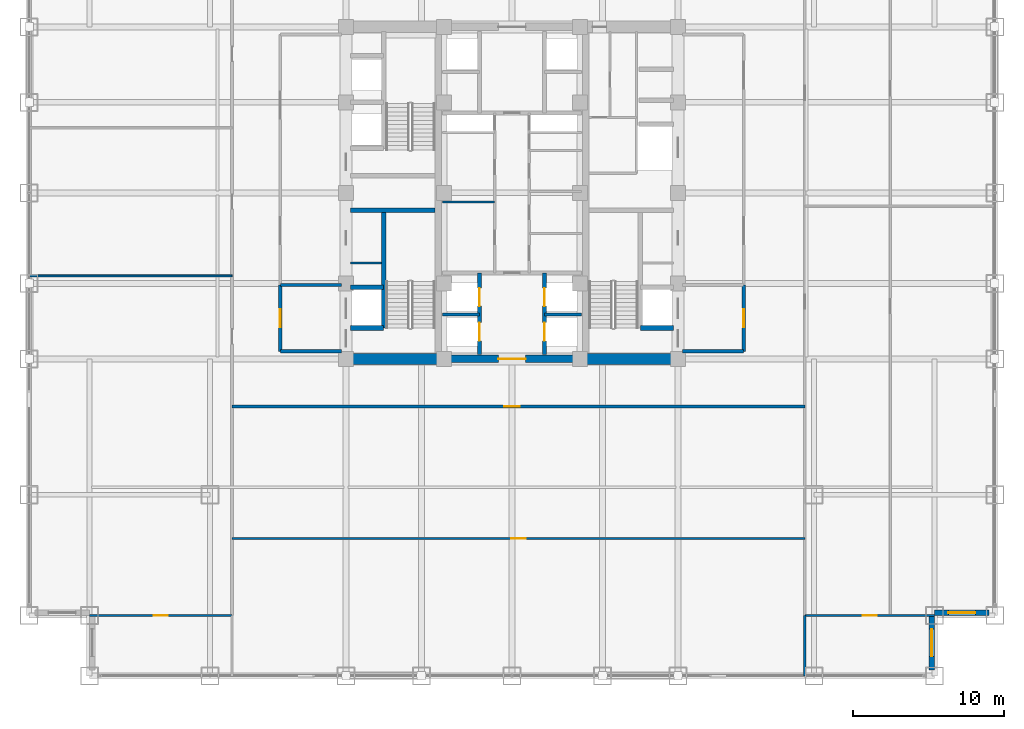
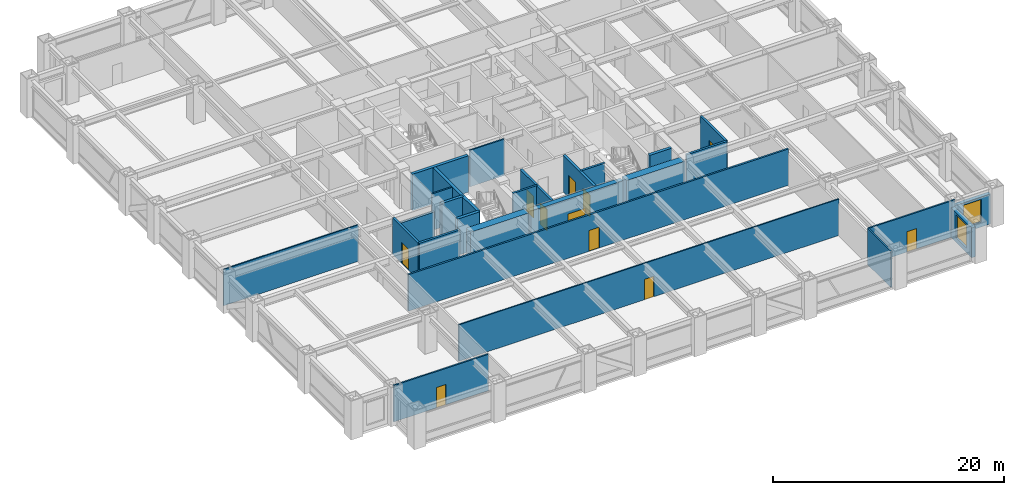
# One storey, part 23 of 28: 27 walls, 11 doors, 2 windows, 13 openings.
"""IFC4 building model written with IfcOpenShell, lengths in metres."""

from ifc_helpers import new_model, si_unit, direction, frame, frame_2d, origin, place, context, subcontext, project, spatial, rectangle, extrude, source, transform, mapped, material, layer, layer_set, type_object, element, fill, save


model = new_model("IFC4")

# Units and contexts
model_context = context("Model", 3, precision=1e-05, world=origin(), true_north=direction((0.0, 1.0)))
body_context = subcontext(model_context, "Body", "Model", "MODEL_VIEW")
ifc_project = project(units=[si_unit("LENGTHUNIT", "METRE"), si_unit("AREAUNIT", "SQUARE_METRE"), si_unit("VOLUMEUNIT", "CUBIC_METRE"), si_unit("PLANEANGLEUNIT", "RADIAN"), si_unit("MASSUNIT", "GRAM", prefix="KILO")], contexts=[model_context])

# Site, building, storey
site_placement = place(None, origin())
site = spatial("IfcSite", under=ifc_project, at=site_placement, CompositionType="ELEMENT")
building_placement = place(site_placement, origin())
building = spatial("IfcBuilding", under=site, at=building_placement, Name="Khorayat Bourse Tower", CompositionType="ELEMENT")
storey_placement = place(building_placement, frame((0.0, 0.0, 116.0)))
storey = spatial("IfcBuildingStorey", under=building, at=storey_placement, Name="L26", CompositionType="ELEMENT", Elevation=116.0)

# Walls
ifc_material_1 = material(Name="Concrete C72/90", Category="concrete")
ifc_layer_1 = layer(ifc_material_1, 0.75)
ifc_layer_set_1 = layer_set([ifc_layer_1], Name="Concrete C72/90")
wall_type_1 = type_object("IfcWallType", Name="WAL-CORE-750", PredefinedType="SHEAR", material=ifc_layer_set_1)
shared_shape_1 = source(origin(), body_context, "Body", "SweptSolid", [
    extrude(rectangle(XDim=5.849853515625, YDim=0.75, at=frame_2d((2.9248046875, 0.0))), origin(), (0.0, 0.0, 1.0), 3.840087890625),
])
for number, where, z_axis, x_axis, name in (
    (1, (-10.699951171875, -11.0, 0.0), (0.0, 0.0, 1.0), (1.0, 0.0, 0.0), "L26 Core Shear Wall PIER-WS"),
    (2, (4.85009765625, -11.0, 0.0), (0.0, 0.0, 1.0), (1.0, 0.0, 0.0), "L26 Core Shear Wall PIER-ES"),
):
    element("IfcWall", number, at=place(storey_placement, frame(where, z_axis=z_axis, x_axis=x_axis)), inside=storey, type_object=wall_type_1, Name=name, PredefinedType="SHEAR", context=body_context, shape_type="MappedRepresentation", body=[
        mapped(shared_shape_1, transform((0.0, 0.0, 0.0), scale=1.0)),
    ])
ifc_material_2 = material(Name="Concrete C50/60", Category="concrete")
ifc_layer_2 = layer(ifc_material_2, 0.300048828125)
ifc_layer_set_2 = layer_set([ifc_layer_2], Name="Concrete C50/60")
wall_type_2 = type_object("IfcWallType", Name="WAL-SHAFT-300", PredefinedType="SHEAR", material=ifc_layer_set_2)
shared_shape_2 = source(origin(), body_context, "Body", "SweptSolid", [
    extrude(rectangle(XDim=5.599853515625, YDim=0.300048828125, at=frame_2d((2.7998046875, 0.0))), origin(), (0.0, 0.0, 1.0), 3.840087890625),
])
wall_1_placement = place(storey_placement, frame((-10.699951171875, -1.14990234375, 0.0), z_axis=(0.0, 0.0, 1.0), x_axis=(1.0, 0.0, 0.0)))
element("IfcWall", 3, at=wall_1_placement, inside=storey, type_object=wall_type_2, Name="L26 Core Shear Wall ST1-DIV", PredefinedType="SHEAR", context=body_context, shape_type="MappedRepresentation", body=[
    mapped(shared_shape_2, transform((0.0, 0.0, 0.0), scale=1.0)),
])

# Wall, opening, door
ifc_material_3 = material(Name="Concrete C52/65", Category="concrete")
ifc_layer_3 = layer(ifc_material_3, 0.5)
ifc_layer_set_3 = layer_set([ifc_layer_3], Name="Concrete C52/65")
wall_type_3 = type_object("IfcWallType", Name="WAL-CORE-500", PredefinedType="SHEAR", material=ifc_layer_set_3)
shared_shape_3 = source(origin(), body_context, "Body", "SweptSolid", [
    extrude(rectangle(XDim=9.2001953125, YDim=0.5, at=frame_2d((4.60009765625, 0.0))), origin(), (0.0, 0.0, 1.0), 3.840087890625),
])
wall_2_placement = place(storey_placement, frame((-4.60009765625, -11.0, 0.0), z_axis=(0.0, 0.0, 1.0), x_axis=(1.0, 0.0, 0.0)))
wall_2 = element("IfcWall", 4, at=wall_2_placement, inside=storey, type_object=wall_type_3, Name="L26 Core Shear Wall CORE-S", PredefinedType="SHEAR", context=body_context, shape_type="MappedRepresentation", body=[
    mapped(shared_shape_3, transform((0.0, 0.0, 0.0), scale=1.0)),
])
shared_shape_4 = source(origin(), body_context, "Body", "SweptSolid", [
    extrude(rectangle(XDim=1.800048828125, YDim=2.25, at=frame_2d((0.89990234375, 1.125))), frame((0.0, 0.260009765625, 0.0), z_axis=(0.0, -1.0, 0.0), x_axis=(1.0, 0.0, 0.0)), (0.0, 0.0, 1.0), 0.52001953125),
])
opening_1_placement = place(wall_2_placement, frame((3.699951171875, 0.0, 0.0)))
opening_1 = element("IfcOpeningElement", 5, at=opening_1_placement, cuts=wall_2, Name="Opening DI-03", PredefinedType="OPENING", context=body_context, shape_type="MappedRepresentation", body=[
    mapped(shared_shape_4, transform((0.0, 0.0, 0.0), scale=1.0)),
])
ifc_material_4 = material(Name="Fire-rated hardwood vision-panel double leaf", Category="wood")
door_type_1 = type_object("IfcDoorType", Name="DR-INT-CORR-1800", OperationType="NOTDEFINED", PredefinedType="DOOR", material=ifc_material_4)
shared_shape_5 = source(origin(), body_context, "Body", "SweptSolid", [
    extrude(rectangle(XDim=1.800048828125, YDim=2.25, at=frame_2d((0.89990234375, 1.125))), frame((0.0, 0.02490234375, 0.0), z_axis=(0.0, -1.0, 0.0), x_axis=(1.0, 0.0, 0.0)), (0.0, 0.0, 1.0), 0.050048828125),
])
door_1_placement = place(opening_1_placement, origin())
door_1 = element("IfcDoor", 6, at=door_1_placement, inside=storey, type_object=door_type_1, Name="L26 Low-Rise Lift Lobby Door", OperationType="SINGLE_SWING_LEFT", OverallHeight=2.25, OverallWidth=1.800048828125, PredefinedType="DOOR", context=body_context, shape_type="MappedRepresentation", body=[
    mapped(shared_shape_5, transform((0.0, 0.0, 0.0), scale=1.0)),
])
fill(opening_1, door_1)

# Wall, opening, window
ifc_material_5 = material(Name="Precast concrete C45/55", Category="concrete")
ifc_layer_4 = layer(ifc_material_5, 0.3798828125)
ifc_layer_set_4 = layer_set([ifc_layer_4], Name="Precast concrete C45/55")
wall_type_4 = type_object("IfcWallType", Name="WAL-EXT-STONE-380", PredefinedType="STANDARD", material=ifc_layer_set_4)
shared_shape_6 = source(origin(), body_context, "Body", "SweptSolid", [
    extrude(rectangle(XDim=3.6201171875, YDim=0.3798828125, at=frame_2d((1.81005859375, 0.0))), origin(), (0.0, 0.0, 1.0), 3.14501953125),
])
wall_3_placement = place(storey_placement, frame((27.81005859375, -31.6201171875, 0.0), z_axis=(0.0, 0.0, 1.0), x_axis=(0.0, 1.0, 0.0)))
wall_3 = element("IfcWall", 7, at=wall_3_placement, inside=storey, type_object=wall_type_4, Name="L26 Re-Entrant Notch Limestone Wall SE-V", PredefinedType="STANDARD", context=body_context, shape_type="MappedRepresentation", body=[
    mapped(shared_shape_6, transform((0.0, 0.0, 0.0), scale=1.0)),
])
shared_shape_7 = source(origin(), body_context, "Body", "SweptSolid", [
    extrude(rectangle(XDim=1.800048828125, YDim=2.39990234375, at=frame_2d((0.89990234375, 1.199951171875))), frame((0.0, 0.199951171875, 0.0), z_axis=(0.0, -1.0, 0.0), x_axis=(1.0, 0.0, 0.0)), (0.0, 0.0, 1.0), 0.39990234375),
])
opening_2_placement = place(wall_3_placement, frame((0.909912109375, 0.0, 0.5)))
opening_2 = element("IfcOpeningElement", 8, at=opening_2_placement, cuts=wall_3, Name="Opening WN-04", PredefinedType="OPENING", context=body_context, shape_type="MappedRepresentation", body=[
    mapped(shared_shape_7, transform((0.0, 0.0, 0.0), scale=1.0)),
])
ifc_material_6 = material(Name="Low-E acoustic laminated double glazing", Category="glass")
window_type = type_object("IfcWindowType", Name="WIN-NOTCH-1800x2400", PartitioningType="SINGLE_PANEL", PredefinedType="WINDOW", material=ifc_material_6)
shared_shape_8 = source(origin(), body_context, "Body", "SweptSolid", [
    extrude(rectangle(XDim=1.800048828125, YDim=2.39990234375, at=frame_2d((0.89990234375, 1.199951171875))), frame((0.0, 0.030029296875, 0.0), z_axis=(0.0, -1.0, 0.0), x_axis=(1.0, 0.0, 0.0)), (0.0, 0.0, 1.0), 0.06005859375),
])
window_1_placement = place(opening_2_placement, origin())
window_1 = element("IfcWindow", 9, at=window_1_placement, inside=storey, type_object=window_type, Name="L26 Facade Window 1", OverallHeight=2.39990234375, OverallWidth=1.800048828125, PartitioningType="SINGLE_PANEL", PredefinedType="WINDOW", context=body_context, shape_type="MappedRepresentation", body=[
    mapped(shared_shape_8, transform((0.0, 0.0, 0.0), scale=1.0)),
])
fill(opening_2, window_1)

wall_4_placement = place(storey_placement, frame((28.0, -27.81005859375, 0.0), z_axis=(0.0, 0.0, 1.0), x_axis=(1.0, 0.0, 0.0)))
wall_4 = element("IfcWall", 10, at=wall_4_placement, inside=storey, type_object=wall_type_4, Name="L26 Re-Entrant Notch Limestone Wall SE-H", PredefinedType="STANDARD", context=body_context, shape_type="MappedRepresentation", body=[
    mapped(shared_shape_6, transform((0.0, 0.0, 0.0), scale=1.0)),
])
opening_3_placement = place(wall_4_placement, frame((0.909912109375, 0.0, 0.5)))
opening_3 = element("IfcOpeningElement", 11, at=opening_3_placement, cuts=wall_4, Name="Opening WN-04", PredefinedType="OPENING", context=body_context, shape_type="MappedRepresentation", body=[
    mapped(shared_shape_7, transform((0.0, 0.0, 0.0), scale=1.0)),
])
window_2_placement = place(opening_3_placement, origin())
window_2 = element("IfcWindow", 12, at=window_2_placement, inside=storey, type_object=window_type, Name="L26 Facade Window 1", OverallHeight=2.39990234375, OverallWidth=1.800048828125, PartitioningType="SINGLE_PANEL", PredefinedType="WINDOW", context=body_context, shape_type="MappedRepresentation", body=[
    mapped(shared_shape_8, transform((0.0, 0.0, 0.0), scale=1.0)),
])
fill(opening_3, window_2)

# Walls
shared_shape_9 = source(origin(), body_context, "Body", "SweptSolid", [
    extrude(rectangle(XDim=7.800048828125, YDim=0.300048828125, at=frame_2d((3.89990234375, 0.0))), origin(), (0.0, 0.0, 1.0), 3.840087890625),
])
wall_5_placement = place(storey_placement, frame((-8.5, -8.949951171875, 0.0), z_axis=(0.0, 0.0, 1.0), x_axis=(0.0, 1.0, 0.0)))
element("IfcWall", 13, at=wall_5_placement, inside=storey, type_object=wall_type_2, Name="L26 Partition WAL-L26-WPIER-SP", PredefinedType="SHEAR", context=body_context, shape_type="MappedRepresentation", body=[
    mapped(shared_shape_9, transform((0.0, 0.0, 0.0), scale=1.0)),
])
shared_shape_10 = source(origin(), body_context, "Body", "SweptSolid", [
    extrude(rectangle(XDim=2.199951171875, YDim=0.300048828125, at=frame_2d((1.10009765625, 0.0))), origin(), (0.0, 0.0, 1.0), 3.840087890625),
])
for number, where, z_axis, x_axis, name in (
    (14, (-10.699951171875, -8.949951171875, 0.0), (0.0, 0.0, 1.0), (1.0, 0.0, 0.0), "L26 Partition WAL-L26-WPIER-FF1S"),
    (15, (-10.699951171875, -6.25, 0.0), (0.0, 0.0, 1.0), (1.0, 0.0, 0.0), "L26 Partition WAL-L26-WPIER-FF1N"),
    (16, (8.5, -8.949951171875, 0.0), (0.0, 0.0, 1.0), (1.0, 0.0, 0.0), "L26 Partition WAL-L26-EPIER-FF2S"),
):
    element("IfcWall", number, at=place(storey_placement, frame(where, z_axis=z_axis, x_axis=x_axis)), inside=storey, type_object=wall_type_2, Name=name, PredefinedType="SHEAR", context=body_context, shape_type="MappedRepresentation", body=[
        mapped(shared_shape_10, transform((0.0, 0.0, 0.0), scale=1.0)),
    ])
ifc_material_7 = material(Name="Gypsum plasterboard twin-frame partition")
ifc_layer_5 = layer(ifc_material_7, 0.14990234375)
ifc_layer_set_5 = layer_set([ifc_layer_5], Name="Gypsum plasterboard twin-frame partition")
wall_type_5 = type_object("IfcWallType", Name="WAL-PART-SUITE-150", PredefinedType="PARTITIONING", material=ifc_layer_set_5)
shared_shape_11 = source(origin(), body_context, "Body", "SweptSolid", [
    extrude(rectangle(XDim=2.050048828125, YDim=0.14990234375, at=frame_2d((1.02490234375, 0.0))), origin(), (0.0, 0.0, 1.0), 3.840087890625),
])
wall_6_placement = place(storey_placement, frame((-10.699951171875, -4.64990234375, 0.0), z_axis=(0.0, 0.0, 1.0), x_axis=(1.0, 0.0, 0.0)))
element("IfcWall", 17, at=wall_6_placement, inside=storey, type_object=wall_type_5, Name="L26 Partition WAL-L26-WSRV-S0", PredefinedType="PARTITIONING", context=body_context, shape_type="MappedRepresentation", body=[
    mapped(shared_shape_11, transform((0.0, 0.0, 0.0), scale=1.0)),
])
ifc_material_8 = material(Name="Aerated concrete blockwork", Category="masonry")
ifc_layer_6 = layer(ifc_material_8, 0.219970703125)
ifc_layer_set_6 = layer_set([ifc_layer_6], Name="Aerated concrete blockwork")
wall_type_6 = type_object("IfcWallType", Name="WAL-PART-FF-220", PredefinedType="PARTITIONING", material=ifc_layer_set_6)
shared_shape_12 = source(origin(), body_context, "Body", "SweptSolid", [
    extrude(rectangle(XDim=4.050048828125, YDim=0.219970703125, at=frame_2d((2.02490234375, 0.0))), origin(), (0.0, 0.0, 1.0), 3.840087890625),
])
for number, where, z_axis, x_axis, name in (
    (18, (-15.35009765625, -10.5, 0.0), (0.0, 0.0, 1.0), (1.0, 0.0, 0.0), "L26 Partition WAL-L26-FFLW-S"),
    (19, (11.300048828125, -10.5, 0.0), (0.0, 0.0, 1.0), (1.0, 0.0, 0.0), "L26 Partition WAL-L26-FFLE-S"),
):
    element("IfcWall", number, at=place(storey_placement, frame(where, z_axis=z_axis, x_axis=x_axis)), inside=storey, type_object=wall_type_6, Name=name, PredefinedType="PARTITIONING", context=body_context, shape_type="MappedRepresentation", body=[
        mapped(shared_shape_12, transform((0.0, 0.0, 0.0), scale=1.0)),
    ])

# Wall, opening, door
shared_shape_13 = source(origin(), body_context, "Body", "SweptSolid", [
    extrude(rectangle(XDim=4.39990234375, YDim=0.219970703125, at=frame_2d((2.199951171875, 0.0))), origin(), (0.0, 0.0, 1.0), 3.840087890625),
])
wall_7_placement = place(storey_placement, frame((-15.35009765625, -10.5, 0.0), z_axis=(0.0, 0.0, 1.0), x_axis=(0.0, 1.0, 0.0)))
wall_7 = element("IfcWall", 20, at=wall_7_placement, inside=storey, type_object=wall_type_6, Name="L26 Partition WAL-L26-FFLW-W", PredefinedType="PARTITIONING", context=body_context, shape_type="MappedRepresentation", body=[
    mapped(shared_shape_13, transform((0.0, 0.0, 0.0), scale=1.0)),
])
shared_shape_14 = source(origin(), body_context, "Body", "SweptSolid", [
    extrude(rectangle(XDim=1.199951171875, YDim=2.199951171875, at=frame_2d((0.60009765625, 1.10009765625))), frame((0.0, 0.119873046875, 0.0), z_axis=(0.0, -1.0, 0.0), x_axis=(1.0, 0.0, 0.0)), (0.0, 0.0, 1.0), 0.239990234375),
])
opening_4_placement = place(wall_7_placement, frame((1.60009765625, 0.0, 0.0)))
opening_4 = element("IfcOpeningElement", 21, at=opening_4_placement, cuts=wall_7, Name="Opening DI-02", PredefinedType="OPENING", context=body_context, shape_type="MappedRepresentation", body=[
    mapped(shared_shape_14, transform((0.0, 0.0, 0.0), scale=1.0)),
])
ifc_material_9 = material(Name="Fire-rated steel double-seal leaf", Category="steel")
door_type_2 = type_object("IfcDoorType", Name="DR-INT-FFLOBBY-1200", OperationType="NOTDEFINED", PredefinedType="DOOR", material=ifc_material_9)
shared_shape_15 = source(origin(), body_context, "Body", "SweptSolid", [
    extrude(rectangle(XDim=1.199951171875, YDim=2.199951171875, at=frame_2d((0.60009765625, 1.10009765625))), frame((0.0, 0.02490234375, 0.0), z_axis=(0.0, -1.0, 0.0), x_axis=(1.0, 0.0, 0.0)), (0.0, 0.0, 1.0), 0.050048828125),
])
door_2_placement = place(opening_4_placement, origin())
door_2 = element("IfcDoor", 22, at=door_2_placement, inside=storey, type_object=door_type_2, Name="L26 West Firefighting Lobby Door", OperationType="SINGLE_SWING_LEFT", OverallHeight=2.199951171875, OverallWidth=1.199951171875, PredefinedType="DOOR", context=body_context, shape_type="MappedRepresentation", body=[
    mapped(shared_shape_15, transform((0.0, 0.0, 0.0), scale=1.0)),
])
fill(opening_4, door_2)

wall_8_placement = place(storey_placement, frame((15.35009765625, -10.5, 0.0), z_axis=(0.0, 0.0, 1.0), x_axis=(0.0, 1.0, 0.0)))
wall_8 = element("IfcWall", 23, at=wall_8_placement, inside=storey, type_object=wall_type_6, Name="L26 Partition WAL-L26-FFLE-E", PredefinedType="PARTITIONING", context=body_context, shape_type="MappedRepresentation", body=[
    mapped(shared_shape_13, transform((0.0, 0.0, 0.0), scale=1.0)),
])
opening_5_placement = place(wall_8_placement, frame((1.60009765625, 0.0, 0.0)))
opening_5 = element("IfcOpeningElement", 24, at=opening_5_placement, cuts=wall_8, Name="Opening DI-02", PredefinedType="OPENING", context=body_context, shape_type="MappedRepresentation", body=[
    mapped(shared_shape_14, transform((0.0, 0.0, 0.0), scale=1.0)),
])
door_3_placement = place(opening_5_placement, origin())
door_3 = element("IfcDoor", 25, at=door_3_placement, inside=storey, type_object=door_type_2, Name="L26 East Firefighting Lobby Door", OperationType="SINGLE_SWING_RIGHT", OverallHeight=2.199951171875, OverallWidth=1.199951171875, PredefinedType="DOOR", context=body_context, shape_type="MappedRepresentation", body=[
    mapped(shared_shape_15, transform((0.0, 0.0, 0.0), scale=1.0)),
])
fill(opening_5, door_3)

# Wall, openings, doors
shared_shape_16 = source(origin(), body_context, "Body", "SweptSolid", [
    extrude(rectangle(XDim=5.39990234375, YDim=0.25, at=frame_2d((2.699951171875, 0.0))), origin(), (0.0, 0.0, 1.0), 3.840087890625),
])
wall_9_placement = place(storey_placement, frame((-2.14990234375, -10.699951171875, 0.0), z_axis=(0.0, 0.0, 1.0), x_axis=(0.0, 1.0, 0.0)))
wall_9 = element("IfcWall", 26, at=wall_9_placement, inside=storey, type_object=wall_type_2, Name="L26 Partition WAL-L26-B1-W", PredefinedType="SHEAR", context=body_context, shape_type="MappedRepresentation", body=[
    mapped(shared_shape_16, transform((0.0, 0.0, 0.0), scale=1.0)),
])
shared_shape_17 = source(origin(), body_context, "Body", "SweptSolid", [
    extrude(rectangle(XDim=1.199951171875, YDim=2.300048828125, at=frame_2d((0.60009765625, 1.14990234375))), frame((0.0, 0.135009765625, 0.0), z_axis=(0.0, -1.0, 0.0), x_axis=(1.0, 0.0, 0.0)), (0.0, 0.0, 1.0), 0.27001953125),
])
opening_6_placement = place(wall_9_placement, frame((0.89990234375, 0.0, 0.0)))
opening_6 = element("IfcOpeningElement", 27, at=opening_6_placement, cuts=wall_9, Name="Opening LD-01", PredefinedType="OPENING", context=body_context, shape_type="MappedRepresentation", body=[
    mapped(shared_shape_17, transform((0.0, 0.0, 0.0), scale=1.0)),
])
opening_7_placement = place(wall_9_placement, frame((3.199951171875, 0.0, 0.0)))
opening_7 = element("IfcOpeningElement", 28, at=opening_7_placement, cuts=wall_9, Name="Opening LD-01", PredefinedType="OPENING", context=body_context, shape_type="MappedRepresentation", body=[
    mapped(shared_shape_17, transform((0.0, 0.0, 0.0), scale=1.0)),
])
ifc_material_10 = material(Name="Brushed bronze stainless-steel sliding door", Category="steel")
door_type_3 = type_object("IfcDoorType", Name="DR-LIFT-PASS-1200", OperationType="NOTDEFINED", PredefinedType="DOOR", material=ifc_material_10)
shared_shape_18 = source(origin(), body_context, "Body", "SweptSolid", [
    extrude(rectangle(XDim=1.199951171875, YDim=2.300048828125, at=frame_2d((0.60009765625, 1.14990234375))), frame((0.0, 0.02490234375, 0.0), z_axis=(0.0, -1.0, 0.0), x_axis=(1.0, 0.0, 0.0)), (0.0, 0.0, 1.0), 0.050048828125),
])
door_4_placement = place(opening_6_placement, origin())
door_4 = element("IfcDoor", 29, at=door_4_placement, inside=storey, type_object=door_type_3, Name="L26 Lift PL-L1 Sliding Landing Door", OperationType="SLIDING_TO_LEFT", OverallHeight=2.300048828125, OverallWidth=1.199951171875, PredefinedType="DOOR", context=body_context, shape_type="MappedRepresentation", body=[
    mapped(shared_shape_18, transform((0.0, 0.0, 0.0), scale=1.0)),
])
fill(opening_6, door_4)
door_5_placement = place(opening_7_placement, origin())
door_5 = element("IfcDoor", 30, at=door_5_placement, inside=storey, type_object=door_type_3, Name="L26 Lift PL-L3 Sliding Landing Door", OperationType="SLIDING_TO_LEFT", OverallHeight=2.300048828125, OverallWidth=1.199951171875, PredefinedType="DOOR", context=body_context, shape_type="MappedRepresentation", body=[
    mapped(shared_shape_18, transform((0.0, 0.0, 0.0), scale=1.0)),
])
fill(opening_7, door_5)

wall_10_placement = place(storey_placement, frame((2.14990234375, -10.699951171875, 0.0), z_axis=(0.0, 0.0, 1.0), x_axis=(0.0, 1.0, 0.0)))
wall_10 = element("IfcWall", 31, at=wall_10_placement, inside=storey, type_object=wall_type_2, Name="L26 Partition WAL-L26-B1-E", PredefinedType="SHEAR", context=body_context, shape_type="MappedRepresentation", body=[
    mapped(shared_shape_16, transform((0.0, 0.0, 0.0), scale=1.0)),
])
opening_8_placement = place(wall_10_placement, frame((0.89990234375, 0.0, 0.0)))
opening_8 = element("IfcOpeningElement", 32, at=opening_8_placement, cuts=wall_10, Name="Opening LD-01", PredefinedType="OPENING", context=body_context, shape_type="MappedRepresentation", body=[
    mapped(shared_shape_17, transform((0.0, 0.0, 0.0), scale=1.0)),
])
opening_9_placement = place(wall_10_placement, frame((3.199951171875, 0.0, 0.0)))
opening_9 = element("IfcOpeningElement", 33, at=opening_9_placement, cuts=wall_10, Name="Opening LD-01", PredefinedType="OPENING", context=body_context, shape_type="MappedRepresentation", body=[
    mapped(shared_shape_17, transform((0.0, 0.0, 0.0), scale=1.0)),
])
door_6_placement = place(opening_8_placement, origin())
door_6 = element("IfcDoor", 34, at=door_6_placement, inside=storey, type_object=door_type_3, Name="L26 Lift PL-L2 Sliding Landing Door", OperationType="SLIDING_TO_LEFT", OverallHeight=2.300048828125, OverallWidth=1.199951171875, PredefinedType="DOOR", context=body_context, shape_type="MappedRepresentation", body=[
    mapped(shared_shape_18, transform((0.0, 0.0, 0.0), scale=1.0)),
])
fill(opening_8, door_6)
door_7_placement = place(opening_9_placement, origin())
door_7 = element("IfcDoor", 35, at=door_7_placement, inside=storey, type_object=door_type_3, Name="L26 Lift PL-L4 Sliding Landing Door", OperationType="SLIDING_TO_LEFT", OverallHeight=2.300048828125, OverallWidth=1.199951171875, PredefinedType="DOOR", context=body_context, shape_type="MappedRepresentation", body=[
    mapped(shared_shape_18, transform((0.0, 0.0, 0.0), scale=1.0)),
])
fill(opening_9, door_7)

# Walls
shared_shape_19 = source(origin(), body_context, "Body", "SweptSolid", [
    extrude(rectangle(XDim=2.4501953125, YDim=0.199951171875, at=frame_2d((1.22509765625, 0.0))), origin(), (0.0, 0.0, 1.0), 3.840087890625),
])
for number, where, z_axis, x_axis, name in (
    (36, (-4.60009765625, -8.050048828125, 0.0), (0.0, 0.0, 1.0), (1.0, 0.0, 0.0), "L26 Partition WAL-L26-B1-MW"),
    (37, (2.14990234375, -8.050048828125, 0.0), (0.0, 0.0, 1.0), (1.0, 0.0, 0.0), "L26 Partition WAL-L26-B1-ME"),
):
    element("IfcWall", number, at=place(storey_placement, frame(where, z_axis=z_axis, x_axis=x_axis)), inside=storey, type_object=wall_type_2, Name=name, PredefinedType="SHEAR", context=body_context, shape_type="MappedRepresentation", body=[
        mapped(shared_shape_19, transform((0.0, 0.0, 0.0), scale=1.0)),
    ])
ifc_material_11 = material(Name="Moisture-resistant masonry partition", Category="masonry")
ifc_layer_7 = layer(ifc_material_11, 0.139892578125)
ifc_layer_set_7 = layer_set([ifc_layer_7], Name="Moisture-resistant masonry partition")
wall_type_7 = type_object("IfcWallType", Name="WAL-PART-WET-140", PredefinedType="PARTITIONING", material=ifc_layer_set_7)
shared_shape_20 = source(origin(), body_context, "Body", "SweptSolid", [
    extrude(rectangle(XDim=3.4501953125, YDim=0.139892578125, at=frame_2d((1.72509765625, 0.0))), origin(), (0.0, 0.0, 1.0), 3.840087890625),
])
wall_11_placement = place(storey_placement, frame((-4.60009765625, -0.60009765625, 0.0), z_axis=(0.0, 0.0, 1.0), x_axis=(1.0, 0.0, 0.0)))
element("IfcWall", 38, at=wall_11_placement, inside=storey, type_object=wall_type_7, Name="L26 Partition WAL-L26-CMW-D1", PredefinedType="PARTITIONING", context=body_context, shape_type="MappedRepresentation", body=[
    mapped(shared_shape_20, transform((0.0, 0.0, 0.0), scale=1.0)),
])
shared_shape_21 = source(origin(), body_context, "Body", "SweptSolid", [
    extrude(rectangle(XDim=4.0, YDim=0.14990234375, at=frame_2d((2.0, 0.0))), origin(), (0.0, 0.0, 1.0), 3.840087890625),
])
wall_12_placement = place(storey_placement, frame((19.39990234375, -32.0, 0.0), z_axis=(0.0, 0.0, 1.0), x_axis=(0.0, 1.0, 0.0)))
element("IfcWall", 39, at=wall_12_placement, inside=storey, type_object=wall_type_5, Name="L26 Partition WAL-L26-SCE-END", PredefinedType="PARTITIONING", context=body_context, shape_type="MappedRepresentation", body=[
    mapped(shared_shape_21, transform((0.0, 0.0, 0.0), scale=1.0)),
])

# Wall, opening, door
shared_shape_22 = source(origin(), body_context, "Body", "SweptSolid", [
    extrude(rectangle(XDim=8.60009765625, YDim=0.14990234375, at=frame_2d((4.300048828125, 0.0))), origin(), (0.0, 0.0, 1.0), 3.840087890625),
])
wall_13_placement = place(storey_placement, frame((19.39990234375, -28.0, 0.0), z_axis=(0.0, 0.0, 1.0), x_axis=(1.0, 0.0, 0.0)))
wall_13 = element("IfcWall", 40, at=wall_13_placement, inside=storey, type_object=wall_type_5, Name="L26 Partition WAL-L26-CSE", PredefinedType="PARTITIONING", context=body_context, shape_type="MappedRepresentation", body=[
    mapped(shared_shape_22, transform((0.0, 0.0, 0.0), scale=1.0)),
])
shared_shape_23 = source(origin(), body_context, "Body", "SweptSolid", [
    extrude(rectangle(XDim=0.949951171875, YDim=2.14990234375, at=frame_2d((0.47509765625, 1.074951171875))), frame((0.0, 0.0849609375, 0.0), z_axis=(0.0, -1.0, 0.0), x_axis=(1.0, 0.0, 0.0)), (0.0, 0.0, 1.0), 0.169921875),
])
opening_10_placement = place(wall_13_placement, frame((3.824951171875, 0.0, 0.0)))
opening_10 = element("IfcOpeningElement", 41, at=opening_10_placement, cuts=wall_13, Name="Opening DI-05", PredefinedType="OPENING", context=body_context, shape_type="MappedRepresentation", body=[
    mapped(shared_shape_23, transform((0.0, 0.0, 0.0), scale=1.0)),
])
ifc_material_12 = material(Name="Acoustic oak veneer office door")
door_type_4 = type_object("IfcDoorType", Name="DR-INT-OFFICE-950", OperationType="NOTDEFINED", PredefinedType="DOOR", material=ifc_material_12)
shared_shape_24 = source(origin(), body_context, "Body", "SweptSolid", [
    extrude(rectangle(XDim=0.949951171875, YDim=2.14990234375, at=frame_2d((0.47509765625, 1.074951171875))), frame((0.0, 0.02490234375, 0.0), z_axis=(0.0, -1.0, 0.0), x_axis=(1.0, 0.0, 0.0)), (0.0, 0.0, 1.0), 0.050048828125),
])
door_8_placement = place(opening_10_placement, origin())
door_8 = element("IfcDoor", 42, at=door_8_placement, inside=storey, type_object=door_type_4, Name="L26 South-East Corner Briefing Room Door", OperationType="SINGLE_SWING_LEFT", OverallHeight=2.14990234375, OverallWidth=0.949951171875, PredefinedType="DOOR", context=body_context, shape_type="MappedRepresentation", body=[
    mapped(shared_shape_24, transform((0.0, 0.0, 0.0), scale=1.0)),
])
fill(opening_10, door_8)

# Walls
shared_shape_25 = source(origin(), body_context, "Body", "SweptSolid", [
    extrude(rectangle(XDim=4.050048828125, YDim=0.219970703125, at=frame_2d((2.02490234375, 0.0))), origin(), (0.0, 0.0, 1.0), 3.06689453125),
])
wall_14_placement = place(storey_placement, frame((-15.35009765625, -6.10009765625, 0.0), z_axis=(0.0, 0.0, 1.0), x_axis=(1.0, 0.0, 0.0)))
element("IfcWall", 43, at=wall_14_placement, inside=storey, type_object=wall_type_6, Name="L26 Partition WAL-L26-FFLW-N", PredefinedType="PARTITIONING", context=body_context, shape_type="MappedRepresentation", body=[
    mapped(shared_shape_25, transform((0.0, 0.0, 0.0), scale=1.0)),
])
ifc_material_13 = material(Name="Gypsum plasterboard partition")
ifc_layer_8 = layer(ifc_material_13, 0.125)
ifc_layer_set_8 = layer_set([ifc_layer_8], Name="Gypsum plasterboard partition")
wall_type_8 = type_object("IfcWallType", Name="WAL-PART-ROOM-125", PredefinedType="PARTITIONING", material=ifc_layer_set_8)
shared_shape_26 = source(origin(), body_context, "Body", "SweptSolid", [
    extrude(rectangle(XDim=13.449951171875, YDim=0.125, at=frame_2d((6.72509765625, 0.0))), origin(), (0.0, 0.0, 1.0), 3.840087890625),
])
wall_15_placement = place(storey_placement, frame((-32.0, -5.4951171875, 0.0), z_axis=(0.0, 0.0, 1.0), x_axis=(1.0, 0.0, 0.0)))
element("IfcWall", 44, at=wall_15_placement, inside=storey, type_object=wall_type_8, Name="L26 Partition WAL-L26-WDV-1", PredefinedType="PARTITIONING", context=body_context, shape_type="MappedRepresentation", body=[
    mapped(shared_shape_26, transform((0.0, 0.0, 0.0), scale=1.0)),
])

# Wall, opening, door
shared_shape_27 = source(origin(), body_context, "Body", "SweptSolid", [
    extrude(rectangle(XDim=9.449951171875, YDim=0.14990234375, at=frame_2d((4.72509765625, 0.0))), origin(), (0.0, 0.0, 1.0), 3.840087890625),
])
wall_16_placement = place(storey_placement, frame((-28.0, -28.0, 0.0), z_axis=(0.0, 0.0, 1.0), x_axis=(1.0, 0.0, 0.0)))
wall_16 = element("IfcWall", 45, at=wall_16_placement, inside=storey, type_object=wall_type_5, Name="L26 Partition WAL-L26-CSW", PredefinedType="PARTITIONING", context=body_context, shape_type="MappedRepresentation", body=[
    mapped(shared_shape_27, transform((0.0, 0.0, 0.0), scale=1.0)),
])
opening_11_placement = place(wall_16_placement, frame((4.25, 0.0, 0.0)))
opening_11 = element("IfcOpeningElement", 46, at=opening_11_placement, cuts=wall_16, Name="Opening DI-05", PredefinedType="OPENING", context=body_context, shape_type="MappedRepresentation", body=[
    mapped(shared_shape_23, transform((0.0, 0.0, 0.0), scale=1.0)),
])
door_9_placement = place(opening_11_placement, origin())
door_9 = element("IfcDoor", 47, at=door_9_placement, inside=storey, type_object=door_type_4, Name="L26 South-West Corner Office Door", OperationType="SINGLE_SWING_LEFT", OverallHeight=2.14990234375, OverallWidth=0.949951171875, PredefinedType="DOOR", context=body_context, shape_type="MappedRepresentation", body=[
    mapped(shared_shape_24, transform((0.0, 0.0, 0.0), scale=1.0)),
])
fill(opening_11, door_9)

shared_shape_28 = source(origin(), body_context, "Body", "SweptSolid", [
    extrude(rectangle(XDim=37.949951171875, YDim=0.125, at=frame_2d((18.97509765625, 0.0))), origin(), (0.0, 0.0, 1.0), 3.840087890625),
])
wall_17_placement = place(storey_placement, frame((-18.550048828125, -22.896484375, 0.0), z_axis=(0.0, 0.0, 1.0), x_axis=(1.0, 0.0, 0.0)))
wall_17 = element("IfcWall", 48, at=wall_17_placement, inside=storey, type_object=wall_type_8, Name="L26 Partition WAL-L26-SDP-1", PredefinedType="PARTITIONING", context=body_context, shape_type="MappedRepresentation", body=[
    mapped(shared_shape_28, transform((0.0, 0.0, 0.0), scale=1.0)),
])
shared_shape_29 = source(origin(), body_context, "Body", "SweptSolid", [
    extrude(rectangle(XDim=0.949951171875, YDim=2.14990234375, at=frame_2d((0.47509765625, 1.074951171875))), frame((0.0, 0.072509765625, 0.0), z_axis=(0.0, -1.0, 0.0), x_axis=(1.0, 0.0, 0.0)), (0.0, 0.0, 1.0), 0.14501953125),
])
opening_12_placement = place(wall_17_placement, frame((18.5, 0.0, 0.0)))
opening_12 = element("IfcOpeningElement", 49, at=opening_12_placement, cuts=wall_17, Name="Opening DI-05", PredefinedType="OPENING", context=body_context, shape_type="MappedRepresentation", body=[
    mapped(shared_shape_29, transform((0.0, 0.0, 0.0), scale=1.0)),
])
door_10_placement = place(opening_12_placement, origin())
door_10 = element("IfcDoor", 50, at=door_10_placement, inside=storey, type_object=door_type_4, Name="L26 Clearing Operations Office S1B Door", OperationType="SINGLE_SWING_RIGHT", OverallHeight=2.14990234375, OverallWidth=0.949951171875, PredefinedType="DOOR", context=body_context, shape_type="MappedRepresentation", body=[
    mapped(shared_shape_24, transform((0.0, 0.0, 0.0), scale=1.0)),
])
fill(opening_12, door_10)

ifc_material_14 = material(Name="Gypsum plasterboard acoustic stud wall")
ifc_layer_9 = layer(ifc_material_14, 0.179931640625)
ifc_layer_set_9 = layer_set([ifc_layer_9], Name="Gypsum plasterboard acoustic stud wall")
wall_type_9 = type_object("IfcWallType", Name="WAL-PART-CORR-180", PredefinedType="PARTITIONING", material=ifc_layer_set_9)
shared_shape_30 = source(origin(), body_context, "Body", "SweptSolid", [
    extrude(rectangle(XDim=37.949951171875, YDim=0.179931640625, at=frame_2d((18.97509765625, 0.0))), origin(), (0.0, 0.0, 1.0), 3.840087890625),
])
wall_18_placement = place(storey_placement, frame((-18.550048828125, -14.14990234375, 0.0), z_axis=(0.0, 0.0, 1.0), x_axis=(1.0, 0.0, 0.0)))
wall_18 = element("IfcWall", 51, at=wall_18_placement, inside=storey, type_object=wall_type_9, Name="L26 Partition WAL-L26-SCORR", PredefinedType="PARTITIONING", context=body_context, shape_type="MappedRepresentation", body=[
    mapped(shared_shape_30, transform((0.0, 0.0, 0.0), scale=1.0)),
])
shared_shape_31 = source(origin(), body_context, "Body", "SweptSolid", [
    extrude(rectangle(XDim=1.050048828125, YDim=2.199951171875, at=frame_2d((0.52490234375, 1.10009765625))), frame((0.0, 0.099853515625, 0.0), z_axis=(0.0, -1.0, 0.0), x_axis=(1.0, 0.0, 0.0)), (0.0, 0.0, 1.0), 0.199951171875),
])
opening_13_placement = place(wall_18_placement, frame((18.02490234375, 0.0, 0.0)))
opening_13 = element("IfcOpeningElement", 52, at=opening_13_placement, cuts=wall_18, Name="Opening DI-04", PredefinedType="OPENING", context=body_context, shape_type="MappedRepresentation", body=[
    mapped(shared_shape_31, transform((0.0, 0.0, 0.0), scale=1.0)),
])
ifc_material_15 = material(Name="Fire-rated oak veneer suite entrance door")
door_type_5 = type_object("IfcDoorType", Name="DR-INT-SUITE-1050", OperationType="NOTDEFINED", PredefinedType="DOOR", material=ifc_material_15)
shared_shape_32 = source(origin(), body_context, "Body", "SweptSolid", [
    extrude(rectangle(XDim=1.050048828125, YDim=2.199951171875, at=frame_2d((0.52490234375, 1.10009765625))), frame((0.0, 0.02490234375, 0.0), z_axis=(0.0, -1.0, 0.0), x_axis=(1.0, 0.0, 0.0)), (0.0, 0.0, 1.0), 0.050048828125),
])
door_11_placement = place(opening_13_placement, origin())
door_11 = element("IfcDoor", 53, at=door_11_placement, inside=storey, type_object=door_type_5, Name="L26 Equities Trading Desk S1 Door", OperationType="SINGLE_SWING_RIGHT", OverallHeight=2.199951171875, OverallWidth=1.050048828125, PredefinedType="DOOR", context=body_context, shape_type="MappedRepresentation", body=[
    mapped(shared_shape_32, transform((0.0, 0.0, 0.0), scale=1.0)),
])
fill(opening_13, door_11)

save(model, "model.ifc")
